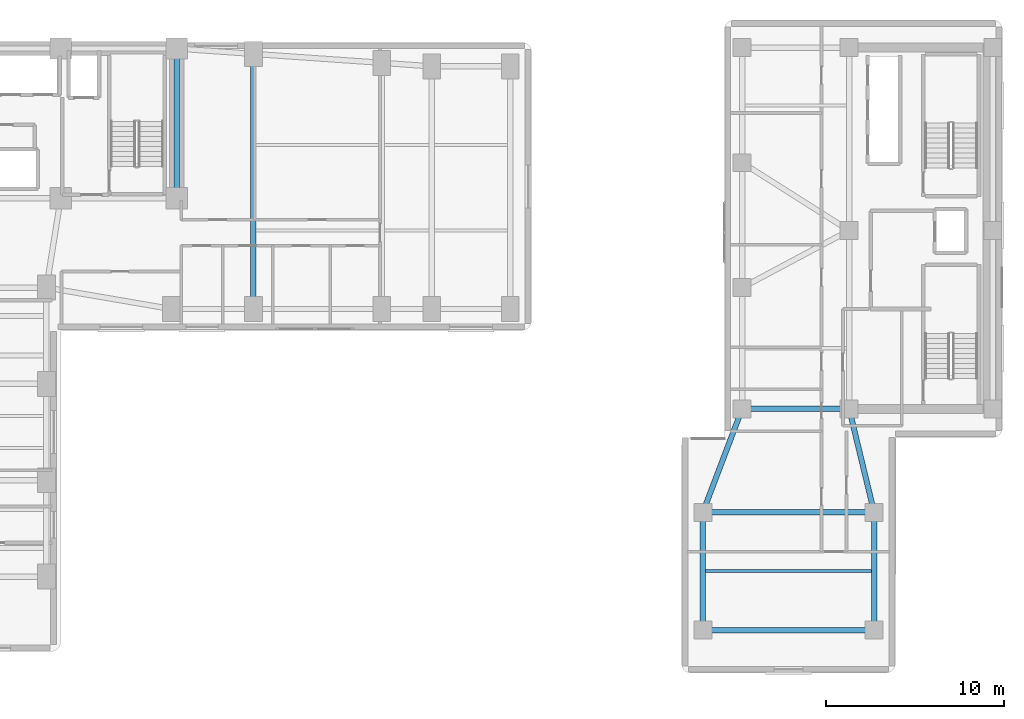
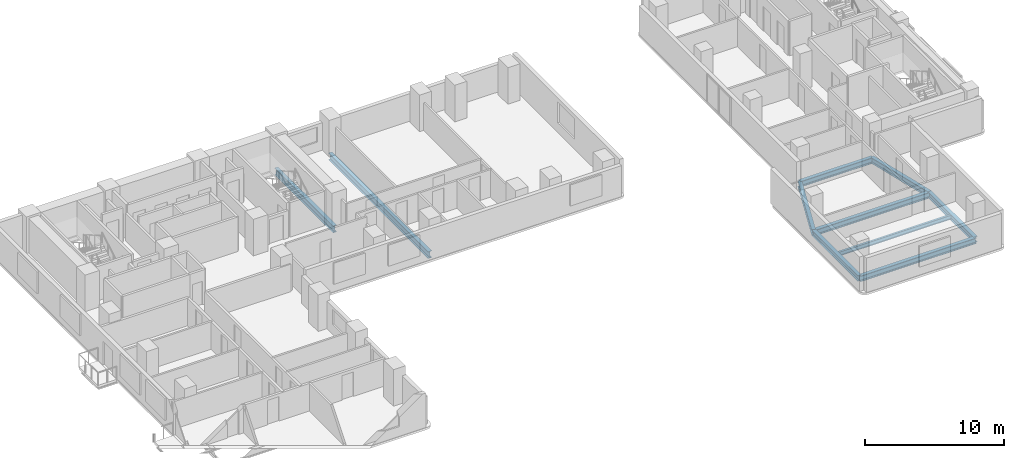
# One storey, part 5 of 18: 10 beams.
"""IFC4 building model written with IfcOpenShell, lengths in metres."""

from ifc_helpers import new_model, si_unit, direction, frame, origin, origin_2d, place, context, subcontext, project, spatial, i_section, extrude, material, material_profile, profile_set, type_object, element, save


model = new_model("IFC4")

# Units and contexts
model_context = context("Model", 3, precision=1e-05, world=origin(), true_north=direction((0.0, 1.0)))
body_context = subcontext(model_context, "Body", "Model", "MODEL_VIEW")
ifc_project = project(units=[si_unit("LENGTHUNIT", "METRE"), si_unit("AREAUNIT", "SQUARE_METRE"), si_unit("VOLUMEUNIT", "CUBIC_METRE"), si_unit("PLANEANGLEUNIT", "RADIAN"), si_unit("MASSUNIT", "GRAM", prefix="KILO")], contexts=[model_context])

# Site, building, storey
site_placement = place(None, origin())
site = spatial("IfcSite", under=ifc_project, at=site_placement, CompositionType="ELEMENT")
building_placement = place(site_placement, origin())
building = spatial("IfcBuilding", under=site, at=building_placement, Name="Kuzgunbayir Cultural Tower", CompositionType="ELEMENT")
storey_placement = place(building_placement, frame((0.0, 0.0, 53.199951171875)))
storey = spatial("IfcBuildingStorey", under=building, at=storey_placement, Name="L14", CompositionType="ELEMENT", Elevation=53.199951171875)

# Beams
ifc_material = material(Name="Steel S355J2", Category="steel")
ifc_material_profile_1 = material_profile(ifc_material, i_section(OverallWidth=0.300048828125, OverallDepth=0.5, WebThickness=0.014404296875, FlangeThickness=0.028076171875, FilletRadius=0.027099609375, at=origin_2d()), Name="HEB 500")
ifc_profile_set_1 = profile_set([ifc_material_profile_1], Name="Steel S355J2")
beam_type_1 = type_object("IfcBeamType", Name="BM-EXT-HEB500", PredefinedType="BEAM", material=ifc_profile_set_1)
beam_1_placement = place(storey_placement, frame((56.39990234375, 9.60009765625, -0.429931640625), z_axis=(0.0, 1.0, 0.0), x_axis=(-1.0, 0.0, 0.0)))
element("IfcBeam", 1, at=beam_1_placement, inside=storey, type_object=beam_type_1, Name="L14 Companion Wing B West Girder", PredefinedType="BEAM", context=body_context, shape_type="SweptSolid", body=[
    extrude(i_section(OverallWidth=0.300048828125, OverallDepth=0.5, WebThickness=0.014404296875, FlangeThickness=0.028076171875, FilletRadius=0.027099609375, at=origin_2d()), origin(), (0.0, 0.0, 1.0), 6.599853515625),
])
beam_2_placement = place(storey_placement, frame((56.39990234375, 16.199951171875, -0.429931640625), z_axis=(0.354679148754, 0.93498807556, 0.0), x_axis=(-0.93498807556, 0.354679148754, 0.0)))
element("IfcBeam", 2, at=beam_2_placement, inside=storey, type_object=beam_type_1, Name="L14 Companion Wing B Floor Girder W", PredefinedType="BEAM", context=body_context, shape_type="SweptSolid", body=[
    extrude(i_section(OverallWidth=0.300048828125, OverallDepth=0.5, WebThickness=0.014404296875, FlangeThickness=0.028076171875, FilletRadius=0.027099609375, at=origin_2d()), origin(), (0.0, 0.0, 1.0), 6.203369140625),
])
beam_3_placement = place(storey_placement, frame((66.0, 9.60009765625, -0.429931640625), z_axis=(0.0, 1.0, 0.0), x_axis=(-1.0, 0.0, 0.0)))
element("IfcBeam", 3, at=beam_3_placement, inside=storey, type_object=beam_type_1, Name="L14 Companion Wing B East Girder", PredefinedType="BEAM", context=body_context, shape_type="SweptSolid", body=[
    extrude(i_section(OverallWidth=0.300048828125, OverallDepth=0.5, WebThickness=0.014404296875, FlangeThickness=0.028076171875, FilletRadius=0.027099609375, at=origin_2d()), origin(), (0.0, 0.0, 1.0), 6.599853515625),
])
beam_4_placement = place(storey_placement, frame((66.0, 16.199951171875, -0.429931640625), z_axis=(-0.234623200431, 0.972086392158, 0.0), x_axis=(-0.972086392158, -0.234623200431, 0.0)))
element("IfcBeam", 4, at=beam_4_placement, inside=storey, type_object=beam_type_1, Name="L14 Companion Wing B Floor Girder E", PredefinedType="BEAM", context=body_context, shape_type="SweptSolid", body=[
    extrude(i_section(OverallWidth=0.300048828125, OverallDepth=0.5, WebThickness=0.014404296875, FlangeThickness=0.028076171875, FilletRadius=0.027099609375, at=origin_2d()), origin(), (0.0, 0.0, 1.0), 5.966552734375),
])
beam_5_placement = place(storey_placement, frame((56.39990234375, 9.60009765625, -0.429931640625), z_axis=(1.0, 0.0, 0.0), x_axis=(0.0, 1.0, 0.0)))
element("IfcBeam", 5, at=beam_5_placement, inside=storey, type_object=beam_type_1, Name="L14 Companion Wing B South Girder", PredefinedType="BEAM", context=body_context, shape_type="SweptSolid", body=[
    extrude(i_section(OverallWidth=0.300048828125, OverallDepth=0.5, WebThickness=0.014404296875, FlangeThickness=0.028076171875, FilletRadius=0.027099609375, at=origin_2d()), origin(), (0.0, 0.0, 1.0), 9.60009765625),
])
ifc_material_profile_2 = material_profile(ifc_material, i_section(OverallWidth=0.300048828125, OverallDepth=0.5, WebThickness=0.014404296875, FlangeThickness=0.028076171875, FilletRadius=0.027099609375, at=origin_2d()), Name="HEB 500")
ifc_profile_set_2 = profile_set([ifc_material_profile_2], Name="Steel S355J2")
beam_type_2 = type_object("IfcBeamType", Name="BM-GIR-HEB500", PredefinedType="BEAM", material=ifc_profile_set_2)
beam_6_placement = place(storey_placement, frame((58.60009765625, 22.0, -0.429931640625), z_axis=(1.0, 0.0, 0.0), x_axis=(0.0, 1.0, 0.0)))
element("IfcBeam", 6, at=beam_6_placement, inside=storey, type_object=beam_type_2, Name="L14 Companion Transverse Girder 1", PredefinedType="BEAM", context=body_context, shape_type="SweptSolid", body=[
    extrude(i_section(OverallWidth=0.300048828125, OverallDepth=0.5, WebThickness=0.014404296875, FlangeThickness=0.028076171875, FilletRadius=0.027099609375, at=origin_2d()), origin(), (0.0, 0.0, 1.0), 6.0),
])
beam_7_placement = place(storey_placement, frame((56.39990234375, 16.199951171875, -0.429931640625), z_axis=(1.0, 0.0, 0.0), x_axis=(0.0, 1.0, 0.0)))
element("IfcBeam", 7, at=beam_7_placement, inside=storey, type_object=beam_type_2, Name="L14 Companion Wing B Mid Girder", PredefinedType="BEAM", context=body_context, shape_type="SweptSolid", body=[
    extrude(i_section(OverallWidth=0.300048828125, OverallDepth=0.5, WebThickness=0.014404296875, FlangeThickness=0.028076171875, FilletRadius=0.027099609375, at=origin_2d()), origin(), (0.0, 0.0, 1.0), 9.60009765625),
])
ifc_material_profile_3 = material_profile(ifc_material, i_section(OverallWidth=0.300048828125, OverallDepth=0.60009765625, WebThickness=0.015380859375, FlangeThickness=0.030029296875, FilletRadius=0.027099609375, at=origin_2d()), Name="HEB 600")
ifc_profile_set_3 = profile_set([ifc_material_profile_3], Name="Steel S355J2")
beam_type_3 = type_object("IfcBeamType", Name="BM-GIR-HEB600", PredefinedType="BEAM", material=ifc_profile_set_3)
beam_8_placement = place(storey_placement, frame((26.89990234375, 33.800048828125, -0.47998046875), z_axis=(0.0, 1.0, 0.0), x_axis=(-1.0, 0.0, 0.0)))
element("IfcBeam", 8, at=beam_8_placement, inside=storey, type_object=beam_type_3, Name="L14 Core East Edge Girder", PredefinedType="BEAM", context=body_context, shape_type="SweptSolid", body=[
    extrude(i_section(OverallWidth=0.300048828125, OverallDepth=0.60009765625, WebThickness=0.015380859375, FlangeThickness=0.030029296875, FilletRadius=0.027099609375, at=origin_2d()), origin(), (0.0, 0.0, 1.0), 8.39990234375),
])
beam_9_placement = place(storey_placement, frame((31.199951171875, 27.60009765625, -0.47998046875), z_axis=(0.0, 1.0, 0.0), x_axis=(-1.0, 0.0, 0.0)))
element("IfcBeam", 9, at=beam_9_placement, inside=storey, type_object=beam_type_3, Name="L14 Wing B Cross Girder 31", PredefinedType="BEAM", context=body_context, shape_type="SweptSolid", body=[
    extrude(i_section(OverallWidth=0.300048828125, OverallDepth=0.60009765625, WebThickness=0.015380859375, FlangeThickness=0.030029296875, FilletRadius=0.027099609375, at=origin_2d()), origin(), (0.0, 0.0, 1.0), 14.2998046875),
])
ifc_material_profile_4 = material_profile(ifc_material, i_section(OverallWidth=0.169921875, OverallDepth=0.360107421875, WebThickness=0.008056640625, FlangeThickness=0.0126953125, FilletRadius=0.01806640625, at=origin_2d()), Name="IPE 360")
ifc_profile_set_4 = profile_set([ifc_material_profile_4], Name="Steel S355J2")
beam_type_4 = type_object("IfcBeamType", Name="BM-JST-IPE360", PredefinedType="JOIST", material=ifc_profile_set_4)
beam_10_placement = place(storey_placement, frame((56.550048828125, 12.89990234375, -0.35986328125), z_axis=(1.0, 0.0, 0.0), x_axis=(0.0, 1.0, 0.0)))
element("IfcBeam", 10, at=beam_10_placement, inside=storey, type_object=beam_type_4, Name="L14 Companion Wing B Joist", PredefinedType="JOIST", context=body_context, shape_type="SweptSolid", body=[
    extrude(i_section(OverallWidth=0.169921875, OverallDepth=0.360107421875, WebThickness=0.008056640625, FlangeThickness=0.0126953125, FilletRadius=0.01806640625, at=origin_2d()), origin(), (0.0, 0.0, 1.0), 9.300048828125),
])

save(model, "model.ifc")
